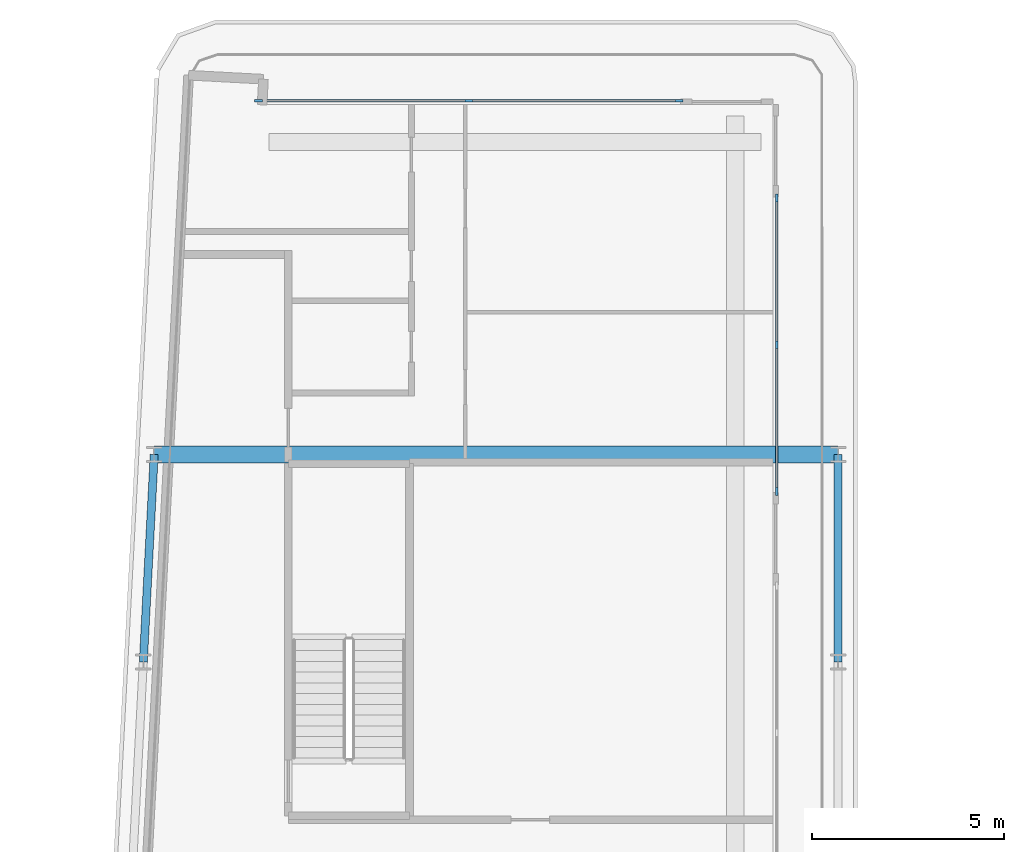
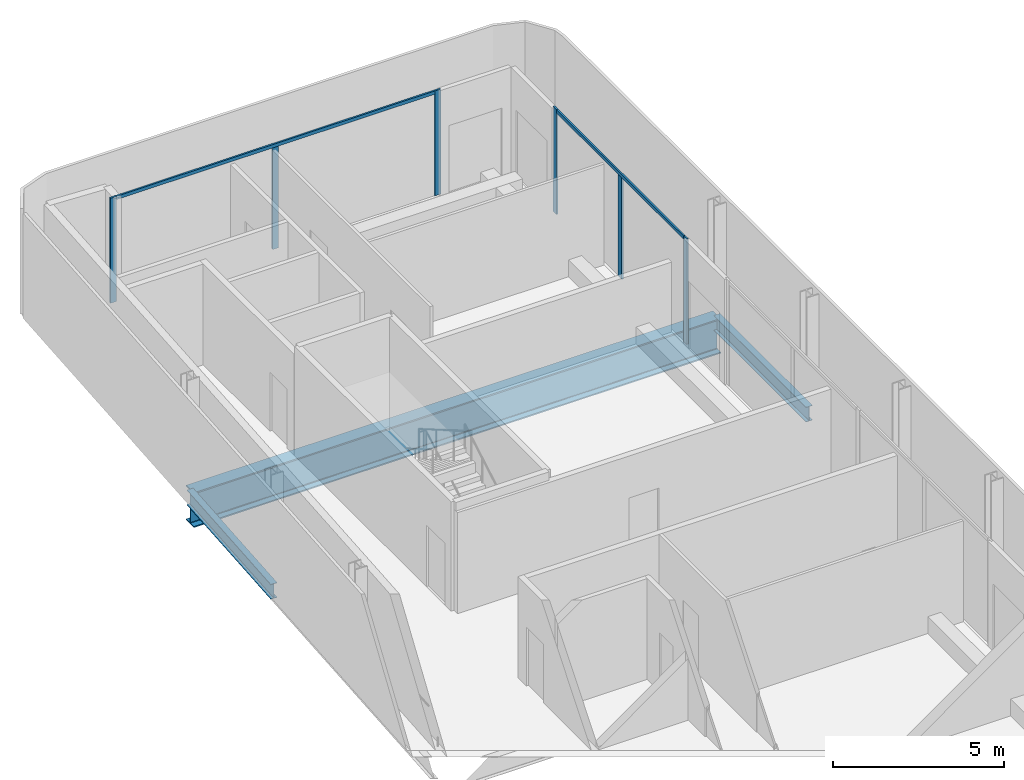
# One storey, part 7 of 22: 8 members, 3 beams, 2 elements without a shape of their own.
"""IFC4 building model written with IfcOpenShell, lengths in metres."""

from ifc_helpers import new_model, si_unit, direction, frame, origin, origin_2d, place, context, subcontext, project, spatial, rectangle, i_section, extrude, material, layer, layer_set, material_profile, profile_set, type_object, element, aggregate, save


model = new_model("IFC4")

# Units and contexts
model_context = context("Model", 3, precision=1e-05, world=origin(), true_north=direction((0.0, 1.0)))
body_context = subcontext(model_context, "Body", "Model", "MODEL_VIEW")
ifc_project = project(units=[si_unit("LENGTHUNIT", "METRE"), si_unit("AREAUNIT", "SQUARE_METRE"), si_unit("VOLUMEUNIT", "CUBIC_METRE"), si_unit("PLANEANGLEUNIT", "RADIAN"), si_unit("MASSUNIT", "GRAM", prefix="KILO")], contexts=[model_context])

# Site, building, storey
site_placement = place(None, origin())
site = spatial("IfcSite", under=ifc_project, at=site_placement, CompositionType="ELEMENT")
building_placement = place(site_placement, origin())
building = spatial("IfcBuilding", under=site, at=building_placement, Name="Kheshtan School and Residences Tower", CompositionType="ELEMENT")
storey_placement = place(building_placement, frame((0.0, 0.0, 251.300048828125)))
storey = spatial("IfcBuildingStorey", under=building, at=storey_placement, Name="L59", CompositionType="ELEMENT", Elevation=251.300048828125)

# Beams
ifc_material_1 = material(Name="Steel ASTM A992 Grade 50", Category="steel")
ifc_material_profile_1 = material_profile(ifc_material_1, i_section(OverallWidth=0.208984375, OverallDepth=0.532958984375, WebThickness=0.01025390625, FlangeThickness=0.015625, FilletRadius=0.013916015625, at=origin_2d()), Name="W530x92")
ifc_profile_set_1 = profile_set([ifc_material_profile_1], Name="Steel ASTM A992 Grade 50")
beam_type_1 = type_object("IfcBeamType", Name="Beam SP3 W530x92 ASTM A992 Grade 50", PredefinedType="BEAM", material=ifc_profile_set_1)
beam_1_placement = place(storey_placement, frame((47.60009765625, 88.800048828125, -0.41650390625), z_axis=(0.0, -1.0, 0.0), x_axis=(1.0, 0.0, 0.0)))
element("IfcBeam", 1, at=beam_1_placement, inside=storey, type_object=beam_type_1, Name="Spandrel beam C099-C091", PredefinedType="BEAM", context=body_context, shape_type="SweptSolid", body=[
    extrude(i_section(OverallWidth=0.208984375, OverallDepth=0.532958984375, WebThickness=0.01025390625, FlangeThickness=0.015625, FilletRadius=0.013916015625, at=origin_2d()), origin(), (0.0, 0.0, 1.0), 5.400146484375),
])
beam_2_placement = place(storey_placement, frame((29.527099609375, 83.39990234375, -0.41650390625), z_axis=(0.05250670125, 0.998620571751, 0.0), x_axis=(-0.998620571751, 0.05250670125, 0.0)))
element("IfcBeam", 2, at=beam_2_placement, inside=storey, type_object=beam_type_1, Name="Spandrel beam C090-C098", PredefinedType="BEAM", context=body_context, shape_type="SweptSolid", body=[
    extrude(i_section(OverallWidth=0.208984375, OverallDepth=0.532958984375, WebThickness=0.01025390625, FlangeThickness=0.015625, FilletRadius=0.013916015625, at=origin_2d()), origin(), (0.0, 0.0, 1.0), 5.40771484375),
])

# Curtain wall, members
ifc_material_2 = material(Name="Clear low-e glass in thermally broken aluminium frame", Category="aluminium")
ifc_layer = layer(ifc_material_2, 0.199951171875)
ifc_layer_set = layer_set([ifc_layer], Name="Curtain wall CW-L")
curtain_wall_type = type_object("IfcCurtainWallType", Name="Curtain wall CW-L", PredefinedType="NOTDEFINED", material=ifc_layer_set)
curtain_wall_1_placement = place(storey_placement, origin())
curtain_wall_1 = element("IfcCurtainWall", 3, at=curtain_wall_1_placement, inside=storey, type_object=curtain_wall_type, Name="Curtain wall CWL7", PredefinedType="NOTDEFINED")
ifc_material_3 = material(Name="Thermally broken aluminium, dark bronze anodised", Category="aluminium")
ifc_material_profile_2 = material_profile(ifc_material_3, rectangle(XDim=0.06005859375, YDim=0.199951171875, at=origin_2d()), Name="CW-L mullion 60x200")
ifc_profile_set_2 = profile_set([ifc_material_profile_2], Name="Thermally broken aluminium, dark bronze anodised")
member_type_1 = type_object("IfcMemberType", Name="CW-L mullion 60x200", PredefinedType="MULLION", material=ifc_profile_set_2)
member_1_placement = place(storey_placement, frame((32.52197265625, 98.0, 0.0), z_axis=(0.0, 0.0, 1.0), x_axis=(0.0, 1.0, 0.0)))
member_1 = element("IfcMember", 4, at=member_1_placement, type_object=member_type_1, Name="CWL7 mullion 1", PredefinedType="MULLION", context=body_context, shape_type="SweptSolid", body=[
    extrude(rectangle(XDim=0.06005859375, YDim=0.199951171875, at=origin_2d()), origin(), (0.0, 0.0, 1.0), 3.75),
])
member_2_placement = place(storey_placement, frame((37.99609375, 98.0, 0.0), z_axis=(0.0, 0.0, 1.0), x_axis=(0.0, 1.0, 0.0)))
member_2 = element("IfcMember", 5, at=member_2_placement, type_object=member_type_1, Name="CWL7 mullion 2", PredefinedType="MULLION", context=body_context, shape_type="SweptSolid", body=[
    extrude(rectangle(XDim=0.06005859375, YDim=0.199951171875, at=origin_2d()), origin(), (0.0, 0.0, 1.0), 3.6298828125),
])
member_3_placement = place(storey_placement, frame((43.469970703125, 98.0, 0.0), z_axis=(0.0, 0.0, 1.0), x_axis=(0.0, 1.0, 0.0)))
member_3 = element("IfcMember", 6, at=member_3_placement, type_object=member_type_1, Name="CWL7 mullion 3", PredefinedType="MULLION", context=body_context, shape_type="SweptSolid", body=[
    extrude(rectangle(XDim=0.06005859375, YDim=0.199951171875, at=origin_2d()), origin(), (0.0, 0.0, 1.0), 3.75),
])

curtain_wall_2_placement = place(storey_placement, origin())
curtain_wall_2 = element("IfcCurtainWall", 7, at=curtain_wall_2_placement, inside=storey, type_object=curtain_wall_type, Name="Curtain wall CWL8", PredefinedType="NOTDEFINED")
member_4_placement = place(storey_placement, frame((46.0, 95.469970703125, 0.0), z_axis=(0.0, 0.0, 1.0), x_axis=(1.0, 0.0, 0.0)))
member_4 = element("IfcMember", 8, at=member_4_placement, type_object=member_type_1, Name="CWL8 mullion 1", PredefinedType="MULLION", context=body_context, shape_type="SweptSolid", body=[
    extrude(rectangle(XDim=0.06005859375, YDim=0.199951171875, at=origin_2d()), origin(), (0.0, 0.0, 1.0), 3.75),
])
member_5_placement = place(storey_placement, frame((46.0, 91.653076171875, 0.0), z_axis=(0.0, 0.0, 1.0), x_axis=(1.0, 0.0, 0.0)))
member_5 = element("IfcMember", 9, at=member_5_placement, type_object=member_type_1, Name="CWL8 mullion 2", PredefinedType="MULLION", context=body_context, shape_type="SweptSolid", body=[
    extrude(rectangle(XDim=0.06005859375, YDim=0.199951171875, at=origin_2d()), origin(), (0.0, 0.0, 1.0), 3.6298828125),
])
member_6_placement = place(storey_placement, frame((46.0, 87.8359375, 0.0), z_axis=(0.0, 0.0, 1.0), x_axis=(1.0, 0.0, 0.0)))
member_6 = element("IfcMember", 10, at=member_6_placement, type_object=member_type_1, Name="CWL8 mullion 3", PredefinedType="MULLION", context=body_context, shape_type="SweptSolid", body=[
    extrude(rectangle(XDim=0.06005859375, YDim=0.199951171875, at=origin_2d()), origin(), (0.0, 0.0, 1.0), 3.75),
])

# Member
ifc_material_profile_3 = material_profile(ifc_material_3, rectangle(XDim=0.06005859375, YDim=0.1201171875, at=origin_2d()), Name="CW-L transom 60x120")
ifc_profile_set_3 = profile_set([ifc_material_profile_3], Name="Thermally broken aluminium, dark bronze anodised")
member_type_2 = type_object("IfcMemberType", Name="CW-L transom 60x120", PredefinedType="USERDEFINED", material=ifc_profile_set_3)
member_7_placement = place(storey_placement, frame((32.552001953125, 98.0, 3.68994140625), z_axis=(1.0, 0.0, 0.0), x_axis=(0.0, 1.0, 0.0)))
member_7 = element("IfcMember", 11, at=member_7_placement, type_object=member_type_2, Name="CWL7 transom 1", ObjectType="TRANSOM", PredefinedType="USERDEFINED", context=body_context, shape_type="SweptSolid", body=[
    extrude(rectangle(XDim=0.06005859375, YDim=0.1201171875, at=origin_2d()), origin(), (0.0, 0.0, 1.0), 10.887939453125),
])

aggregate(curtain_wall_1, [member_1, member_2, member_3, member_7])

member_8_placement = place(storey_placement, frame((46.0, 95.43994140625, 3.68994140625), z_axis=(0.0, -1.0, 0.0), x_axis=(1.0, 0.0, 0.0)))
member_8 = element("IfcMember", 12, at=member_8_placement, type_object=member_type_2, Name="CWL8 transom 1", ObjectType="TRANSOM", PredefinedType="USERDEFINED", context=body_context, shape_type="SweptSolid", body=[
    extrude(rectangle(XDim=0.06005859375, YDim=0.1201171875, at=origin_2d()), origin(), (0.0, 0.0, 1.0), 7.573974609375),
])

aggregate(curtain_wall_2, [member_4, member_5, member_6, member_8])

# Beam
ifc_material_profile_4 = material_profile(ifc_material_1, i_section(OverallWidth=0.449951171875, OverallDepth=1.25, WebThickness=0.02490234375, FlangeThickness=0.044921875, FilletRadius=0.03759765625, at=origin_2d()), Name="WWF1250x546")
ifc_profile_set_4 = profile_set([ifc_material_profile_4], Name="Steel ASTM A992 Grade 50")
beam_type_2 = type_object("IfcBeamType", Name="Transfer girder TG4 WWF1250x546 ASTM A992 Grade 50", PredefinedType="BEAM", material=ifc_profile_set_4)
beam_3_placement = place(storey_placement, frame((29.81103515625, 88.800048828125, -0.775146484375), z_axis=(1.0, 0.0, 0.0), x_axis=(0.0, 1.0, 0.0)))
element("IfcBeam", 13, at=beam_3_placement, inside=storey, type_object=beam_type_2, Name="Transfer girder C098-C099", PredefinedType="BEAM", context=body_context, shape_type="SweptSolid", body=[
    extrude(i_section(OverallWidth=0.449951171875, OverallDepth=1.25, WebThickness=0.02490234375, FlangeThickness=0.044921875, FilletRadius=0.03759765625, at=origin_2d()), origin(), (0.0, 0.0, 1.0), 17.7890625),
])

save(model, "model.ifc")
